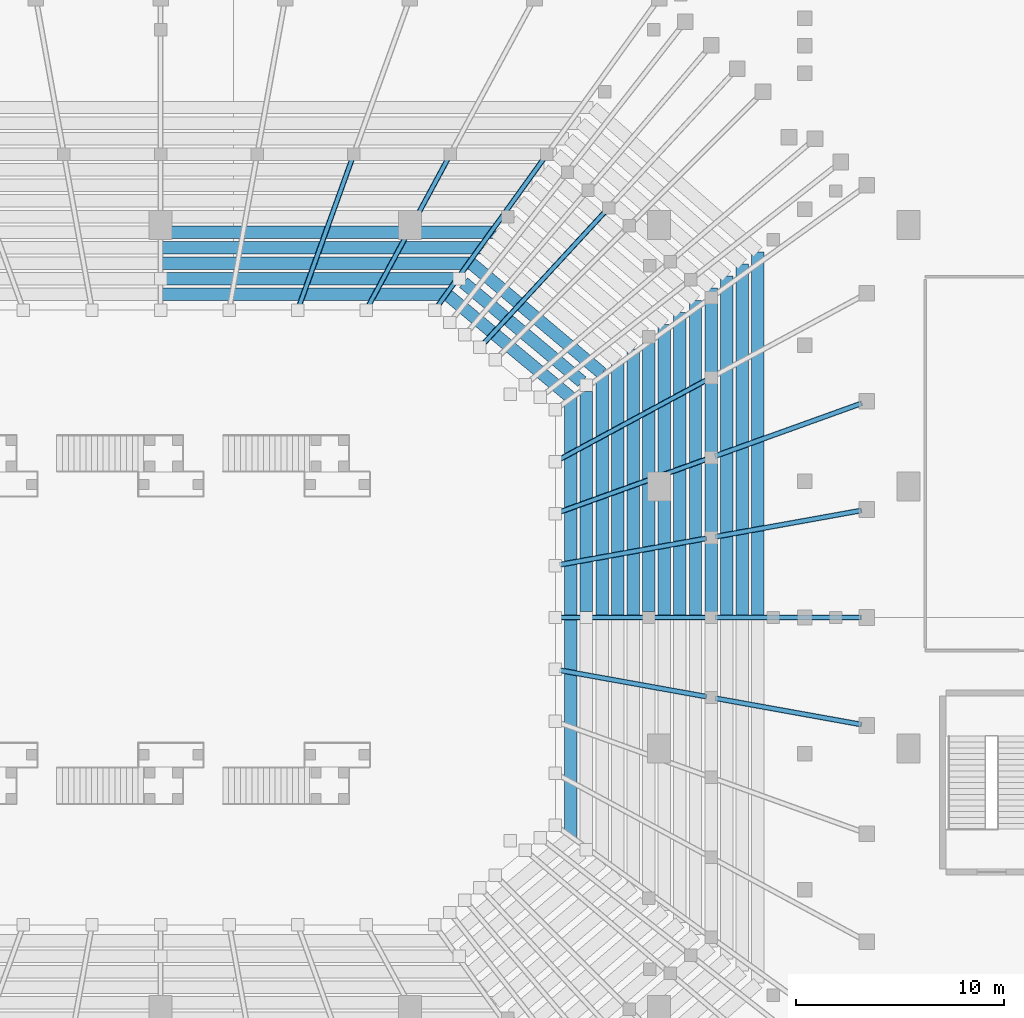
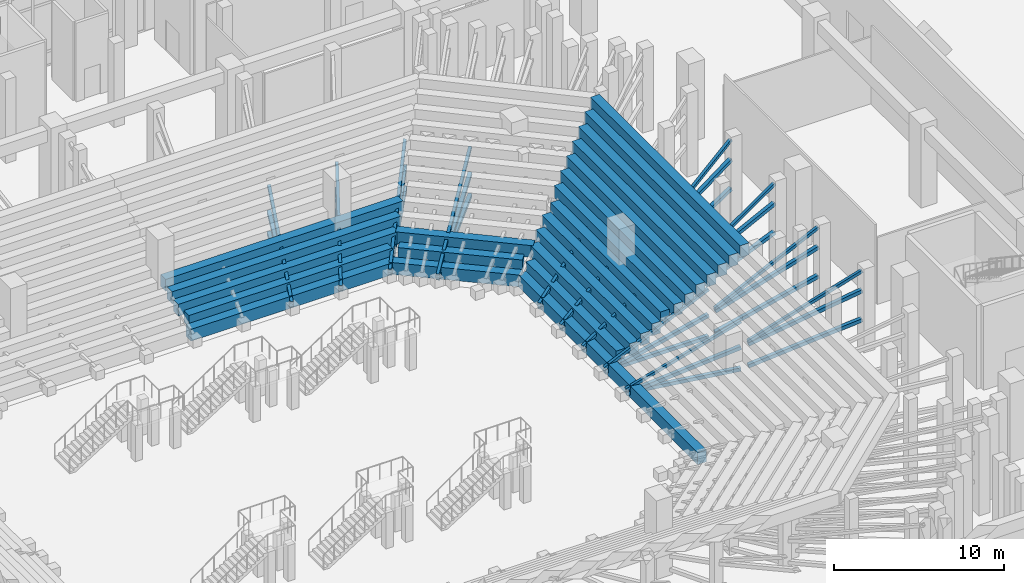
# One storey, part 49 of 143: 39 members, 22 beams.
"""IFC4 building model written with IfcOpenShell, lengths in metres."""

from ifc_helpers import new_model, si_unit, derived_unit, direction, frame, origin, origin_2d, place, context, subcontext, project, spatial, rectangle, hollow_rectangle, extrude, material, material_profile, profile_set, type_object, element, save


model = new_model("IFC4")

# Units and contexts
model_context = context("Model", 3, precision=1e-05, world=origin(), true_north=direction((0.0, 1.0)))
body_context = subcontext(model_context, "Body", "Model", "MODEL_VIEW")
ifc_project = project(units=[si_unit("LENGTHUNIT", "METRE"), si_unit("AREAUNIT", "SQUARE_METRE"), si_unit("VOLUMEUNIT", "CUBIC_METRE"), si_unit("PLANEANGLEUNIT", "RADIAN"), si_unit("MASSUNIT", "GRAM", prefix="KILO"), derived_unit("THERMALTRANSMITTANCEUNIT", [(si_unit("MASSUNIT", "GRAM", prefix="KILO"), 1), (si_unit("TIMEUNIT", "SECOND"), -3), (si_unit("THERMODYNAMICTEMPERATUREUNIT", "KELVIN"), -1)])], contexts=[model_context])

# Site, building, storey
site_placement = place(None, origin())
site = spatial("IfcSite", under=ifc_project, at=site_placement, CompositionType="ELEMENT")
building_placement = place(site_placement, origin())
building = spatial("IfcBuilding", under=site, at=building_placement, Name="Valcora Ridge Arena", CompositionType="ELEMENT")
storey_placement = place(building_placement, origin())
storey = spatial("IfcBuildingStorey", under=building, at=storey_placement, Name="L00", CompositionType="ELEMENT", Elevation=0.0)

# Beams
ifc_material_1 = material(Name="Concrete C40/50", Category="concrete")
ifc_material_profile_1 = material_profile(ifc_material_1, rectangle(XDim=0.60009765625, YDim=0.85009765625, at=origin_2d()), Name="RC 600x850")
ifc_profile_set_1 = profile_set([ifc_material_profile_1], Name="Concrete C40/50")
beam_type = type_object("IfcBeamType", Name="TY-BEAM-B-RC600-X", PredefinedType="BEAM", material=ifc_profile_set_1)
beam_1_placement = place(storey_placement, frame((77.75, 53.514892578125, 0.4150390625), z_axis=(0.0, 1.0, 0.0), x_axis=(-1.0, 0.0, 0.0)))
element("IfcBeam", 1, at=beam_1_placement, inside=storey, type_object=beam_type, Name="B-RC600-X BEM-R2-B-RC600-X-0004", PredefinedType="BEAM", context=body_context, shape_type="SweptSolid", body=[
    extrude(rectangle(XDim=0.60009765625, YDim=0.85009765625, at=origin_2d()), origin(), (0.0, 0.0, 1.0), 10.585205078125),
])
beam_2_placement = place(storey_placement, frame((77.75, 64.10009765625, 0.4150390625), z_axis=(0.0, 1.0, 0.0), x_axis=(-1.0, 0.0, 0.0)))
element("IfcBeam", 2, at=beam_2_placement, inside=storey, type_object=beam_type, Name="B-RC600-X BEM-R2-B-RC600-X-0005", PredefinedType="BEAM", context=body_context, shape_type="SweptSolid", body=[
    extrude(rectangle(XDim=0.60009765625, YDim=0.85009765625, at=origin_2d()), origin(), (0.0, 0.0, 1.0), 10.5849609375),
])
beam_3_placement = place(storey_placement, frame((77.75, 74.68505859375, 0.4150390625), z_axis=(-0.768605337433, 0.639723248968, 0.0), x_axis=(-0.639723248968, -0.768605337433, 0.0)))
element("IfcBeam", 3, at=beam_3_placement, inside=storey, type_object=beam_type, Name="B-RC600-X BEM-R2-B-RC600-X-0006", PredefinedType="BEAM", context=body_context, shape_type="SweptSolid", body=[
    extrude(rectangle(XDim=0.60009765625, YDim=0.85009765625, at=origin_2d()), origin(), (0.0, 0.0, 1.0), 7.760986328125),
])
beam_4_placement = place(storey_placement, frame((71.784912109375, 79.64990234375, 0.4150390625), z_axis=(-1.0, 0.0, 0.0), x_axis=(0.0, -1.0, 0.0)))
element("IfcBeam", 4, at=beam_4_placement, inside=storey, type_object=beam_type, Name="B-RC600-X BEM-R2-B-RC600-X-0007", PredefinedType="BEAM", context=body_context, shape_type="SweptSolid", body=[
    extrude(rectangle(XDim=0.60009765625, YDim=0.85009765625, at=origin_2d()), origin(), (0.0, 0.0, 1.0), 13.784912109375),
])
beam_5_placement = place(storey_placement, frame((78.5, 64.3798828125, 0.85498046875), z_axis=(0.0, 1.0, 0.0), x_axis=(-1.0, 0.0, 0.0)))
element("IfcBeam", 5, at=beam_5_placement, inside=storey, type_object=beam_type, Name="B-RC600-X BEM-R2-B-RC600-X-0017", PredefinedType="BEAM", context=body_context, shape_type="SweptSolid", body=[
    extrude(rectangle(XDim=0.60009765625, YDim=0.85009765625, at=origin_2d()), origin(), (0.0, 0.0, 1.0), 10.610107421875),
])
beam_6_placement = place(storey_placement, frame((78.285400390625, 75.44970703125, 0.85498046875), z_axis=(-0.76690051629, 0.6417659995, 0.0), x_axis=(-0.6417659995, -0.76690051629, 0.0)))
element("IfcBeam", 6, at=beam_6_placement, inside=storey, type_object=beam_type, Name="B-RC600-X BEM-R2-B-RC600-X-0018", PredefinedType="BEAM", context=body_context, shape_type="SweptSolid", body=[
    extrude(rectangle(XDim=0.60009765625, YDim=0.85009765625, at=origin_2d()), origin(), (0.0, 0.0, 1.0), 7.433349609375),
])
beam_7_placement = place(storey_placement, frame((72.090087890625, 80.39990234375, 0.85498046875), z_axis=(-1.0, 0.0, 0.0), x_axis=(0.0, -1.0, 0.0)))
element("IfcBeam", 7, at=beam_7_placement, inside=storey, type_object=beam_type, Name="B-RC600-X BEM-R2-B-RC600-X-0019", PredefinedType="BEAM", context=body_context, shape_type="SweptSolid", body=[
    extrude(rectangle(XDim=0.60009765625, YDim=0.85009765625, at=origin_2d()), origin(), (0.0, 0.0, 1.0), 13.81005859375),
])
beam_8_placement = place(storey_placement, frame((79.25, 64.10009765625, 1.294921875), z_axis=(0.0, 1.0, 0.0), x_axis=(-1.0, 0.0, 0.0)))
element("IfcBeam", 8, at=beam_8_placement, inside=storey, type_object=beam_type, Name="B-RC600-X BEM-R2-B-RC600-X-0029", PredefinedType="BEAM", context=body_context, shape_type="SweptSolid", body=[
    extrude(rectangle(XDim=0.60009765625, YDim=0.85009765625, at=origin_2d()), origin(), (0.0, 0.0, 1.0), 11.7548828125),
])
beam_9_placement = place(storey_placement, frame((79.25, 75.85498046875, 1.294921875), z_axis=(-0.765274358305, 0.643704246157, 0.0), x_axis=(-0.643704246157, -0.765274358305, 0.0)))
element("IfcBeam", 9, at=beam_9_placement, inside=storey, type_object=beam_type, Name="B-RC600-X BEM-R2-B-RC600-X-0030", PredefinedType="BEAM", context=body_context, shape_type="SweptSolid", body=[
    extrude(rectangle(XDim=0.60009765625, YDim=0.85009765625, at=origin_2d()), origin(), (0.0, 0.0, 1.0), 8.2255859375),
])
beam_10_placement = place(storey_placement, frame((72.955078125, 81.14990234375, 1.294921875), z_axis=(-1.0, 0.0, 0.0), x_axis=(0.0, -1.0, 0.0)))
element("IfcBeam", 10, at=beam_10_placement, inside=storey, type_object=beam_type, Name="B-RC600-X BEM-R2-B-RC600-X-0031", PredefinedType="BEAM", context=body_context, shape_type="SweptSolid", body=[
    extrude(rectangle(XDim=0.60009765625, YDim=0.85009765625, at=origin_2d()), origin(), (0.0, 0.0, 1.0), 14.955078125),
])
beam_11_placement = place(storey_placement, frame((80.0, 64.10009765625, 1.735107421875), z_axis=(0.0, 1.0, 0.0), x_axis=(-1.0, 0.0, 0.0)))
element("IfcBeam", 11, at=beam_11_placement, inside=storey, type_object=beam_type, Name="B-RC600-X BEM-R2-B-RC600-X-0041", PredefinedType="BEAM", context=body_context, shape_type="SweptSolid", body=[
    extrude(rectangle(XDim=0.60009765625, YDim=0.85009765625, at=origin_2d()), origin(), (0.0, 0.0, 1.0), 12.33984375),
])
beam_12_placement = place(storey_placement, frame((73.5400390625, 81.89990234375, 1.735107421875), z_axis=(-1.0, 0.0, 0.0), x_axis=(0.0, -1.0, 0.0)))
element("IfcBeam", 12, at=beam_12_placement, inside=storey, type_object=beam_type, Name="B-RC600-X BEM-R2-B-RC600-X-0043", PredefinedType="BEAM", context=body_context, shape_type="SweptSolid", body=[
    extrude(rectangle(XDim=0.60009765625, YDim=0.85009765625, at=origin_2d()), origin(), (0.0, 0.0, 1.0), 15.5400390625),
])
beam_13_placement = place(storey_placement, frame((80.75, 64.10009765625, 2.175048828125), z_axis=(0.0, 1.0, 0.0), x_axis=(-1.0, 0.0, 0.0)))
element("IfcBeam", 13, at=beam_13_placement, inside=storey, type_object=beam_type, Name="B-RC600-X BEM-R2-B-RC600-X-0053", PredefinedType="BEAM", context=body_context, shape_type="SweptSolid", body=[
    extrude(rectangle(XDim=0.60009765625, YDim=0.85009765625, at=origin_2d()), origin(), (0.0, 0.0, 1.0), 12.9248046875),
])
beam_14_placement = place(storey_placement, frame((74.125, 82.64990234375, 2.175048828125), z_axis=(-1.0, 0.0, 0.0), x_axis=(0.0, -1.0, 0.0)))
element("IfcBeam", 14, at=beam_14_placement, inside=storey, type_object=beam_type, Name="B-RC600-X BEM-R2-B-RC600-X-0055", PredefinedType="BEAM", context=body_context, shape_type="SweptSolid", body=[
    extrude(rectangle(XDim=0.60009765625, YDim=0.85009765625, at=origin_2d()), origin(), (0.0, 0.0, 1.0), 16.125),
])
beam_15_placement = place(storey_placement, frame((81.5, 64.3798828125, 2.614990234375), z_axis=(0.0, 1.0, 0.0), x_axis=(-1.0, 0.0, 0.0)))
element("IfcBeam", 15, at=beam_15_placement, inside=storey, type_object=beam_type, Name="B-RC600-X BEM-R2-B-RC600-X-0065", PredefinedType="BEAM", context=body_context, shape_type="SweptSolid", body=[
    extrude(rectangle(XDim=0.60009765625, YDim=0.85009765625, at=origin_2d()), origin(), (0.0, 0.0, 1.0), 12.9501953125),
])
beam_16_placement = place(storey_placement, frame((82.25, 64.10009765625, 3.054931640625), z_axis=(0.0, 1.0, 0.0), x_axis=(-1.0, 0.0, 0.0)))
element("IfcBeam", 16, at=beam_16_placement, inside=storey, type_object=beam_type, Name="B-RC600-X BEM-R2-B-RC600-X-0077", PredefinedType="BEAM", context=body_context, shape_type="SweptSolid", body=[
    extrude(rectangle(XDim=0.60009765625, YDim=0.85009765625, at=origin_2d()), origin(), (0.0, 0.0, 1.0), 14.094970703125),
])
beam_17_placement = place(storey_placement, frame((83.0, 64.10009765625, 3.4951171875), z_axis=(0.0, 1.0, 0.0), x_axis=(-1.0, 0.0, 0.0)))
element("IfcBeam", 17, at=beam_17_placement, inside=storey, type_object=beam_type, Name="B-RC600-X BEM-R2-B-RC600-X-0089", PredefinedType="BEAM", context=body_context, shape_type="SweptSolid", body=[
    extrude(rectangle(XDim=0.60009765625, YDim=0.85009765625, at=origin_2d()), origin(), (0.0, 0.0, 1.0), 14.679931640625),
])
beam_18_placement = place(storey_placement, frame((83.75, 64.10009765625, 3.93505859375), z_axis=(0.0, 1.0, 0.0), x_axis=(-1.0, 0.0, 0.0)))
element("IfcBeam", 18, at=beam_18_placement, inside=storey, type_object=beam_type, Name="B-RC600-X BEM-R2-B-RC600-X-0101", PredefinedType="BEAM", context=body_context, shape_type="SweptSolid", body=[
    extrude(rectangle(XDim=0.60009765625, YDim=0.85009765625, at=origin_2d()), origin(), (0.0, 0.0, 1.0), 15.264892578125),
])
beam_19_placement = place(storey_placement, frame((84.5, 64.10009765625, 4.375), z_axis=(0.0, 1.0, 0.0), x_axis=(-1.0, 0.0, 0.0)))
element("IfcBeam", 19, at=beam_19_placement, inside=storey, type_object=beam_type, Name="B-RC600-X BEM-R2-B-RC600-X-0113", PredefinedType="BEAM", context=body_context, shape_type="SweptSolid", body=[
    extrude(rectangle(XDim=0.60009765625, YDim=0.85009765625, at=origin_2d()), origin(), (0.0, 0.0, 1.0), 15.849853515625),
])
beam_20_placement = place(storey_placement, frame((85.25, 64.10009765625, 4.81494140625), z_axis=(0.0, 1.0, 0.0), x_axis=(-1.0, 0.0, 0.0)))
element("IfcBeam", 20, at=beam_20_placement, inside=storey, type_object=beam_type, Name="B-RC600-X BEM-R2-B-RC600-X-0125", PredefinedType="BEAM", context=body_context, shape_type="SweptSolid", body=[
    extrude(rectangle(XDim=0.60009765625, YDim=0.85009765625, at=origin_2d()), origin(), (0.0, 0.0, 1.0), 16.434814453125),
])
beam_21_placement = place(storey_placement, frame((86.0, 64.10009765625, 5.2548828125), z_axis=(0.0, 1.0, 0.0), x_axis=(-1.0, 0.0, 0.0)))
element("IfcBeam", 21, at=beam_21_placement, inside=storey, type_object=beam_type, Name="B-RC600-X BEM-R2-B-RC600-X-0137", PredefinedType="BEAM", context=body_context, shape_type="SweptSolid", body=[
    extrude(rectangle(XDim=0.60009765625, YDim=0.85009765625, at=origin_2d()), origin(), (0.0, 0.0, 1.0), 17.02001953125),
])
beam_22_placement = place(storey_placement, frame((86.75, 64.10009765625, 5.695068359375), z_axis=(0.0, 1.0, 0.0), x_axis=(-1.0, 0.0, 0.0)))
element("IfcBeam", 22, at=beam_22_placement, inside=storey, type_object=beam_type, Name="B-RC600-X BEM-R2-B-RC600-X-0149", PredefinedType="BEAM", context=body_context, shape_type="SweptSolid", body=[
    extrude(rectangle(XDim=0.60009765625, YDim=0.85009765625, at=origin_2d()), origin(), (0.0, 0.0, 1.0), 17.60498046875),
])

# Members
ifc_material_2 = material(Name="Steel ASTM A500 Grade C", Category="steel")
ifc_material_profile_2 = material_profile(ifc_material_2, hollow_rectangle(XDim=0.25, YDim=0.25, WallThickness=0.012451171875, at=origin_2d()), Name="HSS250X250X12")
ifc_profile_set_2 = profile_set([ifc_material_profile_2], Name="Steel ASTM A500 Grade C")
member_type_1 = type_object("IfcMemberType", Name="TY-MEMBER-RKRC-251", PredefinedType="CHORD", material=ifc_profile_set_2)
member_1_placement = place(storey_placement, frame((77.230224609375, 61.55859375, 0.3037109375), z_axis=(0.959215943841, -0.172654877871, 0.223819271352), x_axis=(0.177149030926, 0.984184038096, 0.0)))
element("IfcMember", 23, at=member_1_placement, inside=storey, type_object=member_type_1, Name="RKRC-251 MBR-RK-RKRC-251-0019", PredefinedType="CHORD", context=body_context, shape_type="SweptSolid", body=[
    extrude(hollow_rectangle(XDim=0.25, YDim=0.25, WallThickness=0.012451171875, at=origin_2d()), origin(), (0.0, 0.0, 1.0), 7.3388671875),
])
member_2_placement = place(storey_placement, frame((77.233642578125, 64.10009765625, 0.304443359375), z_axis=(0.973836720987, 0.0, 0.227248852269), x_axis=(0.0, 1.0, 0.0)))
element("IfcMember", 24, at=member_2_placement, inside=storey, type_object=member_type_1, Name="RKRC-251 MBR-RK-RKRC-251-0020", PredefinedType="CHORD", context=body_context, shape_type="SweptSolid", body=[
    extrude(hollow_rectangle(XDim=0.25, YDim=0.25, WallThickness=0.012451171875, at=origin_2d()), origin(), (0.0, 0.0, 1.0), 7.2216796875),
])
member_3_placement = place(storey_placement, frame((77.230224609375, 66.641357421875, 0.3037109375), z_axis=(0.959210433927, 0.172687152754, 0.223817985693), x_axis=(-0.17718209224, 0.984178086623, 0.0)))
element("IfcMember", 25, at=member_3_placement, inside=storey, type_object=member_type_1, Name="RKRC-251 MBR-RK-RKRC-251-0021", PredefinedType="CHORD", context=body_context, shape_type="SweptSolid", body=[
    extrude(hollow_rectangle(XDim=0.25, YDim=0.25, WallThickness=0.012451171875, at=origin_2d()), origin(), (0.0, 0.0, 1.0), 7.3388671875),
])
member_4_placement = place(storey_placement, frame((77.220703125, 69.179443359375, 0.301513671875), z_axis=(0.918995292529, 0.330859919754, 0.214427996797), x_axis=(-0.338739058473, 0.940880359166, 0.0)))
element("IfcMember", 26, at=member_4_placement, inside=storey, type_object=member_type_1, Name="RKRC-251 MBR-RK-RKRC-251-0022", PredefinedType="CHORD", context=body_context, shape_type="SweptSolid", body=[
    extrude(hollow_rectangle(XDim=0.25, YDim=0.25, WallThickness=0.012451171875, at=origin_2d()), origin(), (0.0, 0.0, 1.0), 7.6806640625),
])
member_5_placement = place(storey_placement, frame((77.206787109375, 71.711669921875, 0.29833984375), z_axis=(0.861930883615, 0.465441489347, 0.201095429747), x_axis=(-0.475147975918, 0.879905904618, 0.0)))
element("IfcMember", 27, at=member_5_placement, inside=storey, type_object=member_type_1, Name="RKRC-251 MBR-RK-RKRC-251-0023", PredefinedType="CHORD", context=body_context, shape_type="SweptSolid", body=[
    extrude(hollow_rectangle(XDim=0.25, YDim=0.25, WallThickness=0.012451171875, at=origin_2d()), origin(), (0.0, 0.0, 1.0), 8.2216796875),
])
member_6_placement = place(storey_placement, frame((73.534912109375, 77.273193359375, 0.295166015625), z_axis=(0.665623478086, 0.722149130028, 0.18827113273), x_axis=(-0.735298404428, 0.677743503433, 0.0)))
element("IfcMember", 28, at=member_6_placement, inside=storey, type_object=member_type_1, Name="RKRC-251 MBR-RK-RKRC-251-0028", PredefinedType="CHORD", context=body_context, shape_type="SweptSolid", body=[
    extrude(hollow_rectangle(XDim=0.25, YDim=0.25, WallThickness=0.012451171875, at=origin_2d()), origin(), (0.0, 0.0, 1.0), 8.8154296875),
])
member_7_placement = place(storey_placement, frame((71.337890625, 79.09130859375, 0.294677734375), z_axis=(0.574095048612, 0.797370949409, 0.18604957457), x_axis=(-0.811540149599, 0.584296658889, 0.0)))
element("IfcMember", 29, at=member_7_placement, inside=storey, type_object=member_type_1, Name="RKRC-251 MBR-RK-RKRC-251-0031", PredefinedType="CHORD", context=body_context, shape_type="SweptSolid", body=[
    extrude(hollow_rectangle(XDim=0.25, YDim=0.25, WallThickness=0.012451171875, at=origin_2d()), origin(), (0.0, 0.0, 1.0), 8.92578125),
])
member_8_placement = place(storey_placement, frame((68.01171875, 79.10693359375, 0.29833984375), z_axis=(0.465453402644, 0.861923249442, 0.201100576924), x_axis=(-0.879899060394, 0.47516065022, 0.0)))
element("IfcMember", 30, at=member_8_placement, inside=storey, type_object=member_type_1, Name="RKRC-251 MBR-RK-RKRC-251-0032", PredefinedType="CHORD", context=body_context, shape_type="SweptSolid", body=[
    extrude(hollow_rectangle(XDim=0.25, YDim=0.25, WallThickness=0.012451171875, at=origin_2d()), origin(), (0.0, 0.0, 1.0), 8.221435546875),
])
member_9_placement = place(storey_placement, frame((64.679443359375, 79.12060546875, 0.301513671875), z_axis=(0.330850255217, 0.919000233363, 0.214421733278), x_axis=(-0.940884093102, 0.338728686926, 0.0)))
element("IfcMember", 31, at=member_9_placement, inside=storey, type_object=member_type_1, Name="RKRC-251 MBR-RK-RKRC-251-0033", PredefinedType="CHORD", context=body_context, shape_type="SweptSolid", body=[
    extrude(hollow_rectangle(XDim=0.25, YDim=0.25, WallThickness=0.012451171875, at=origin_2d()), origin(), (0.0, 0.0, 1.0), 7.680908203125),
])
ifc_material_profile_3 = material_profile(ifc_material_2, hollow_rectangle(XDim=0.25, YDim=0.25, WallThickness=0.012451171875, at=origin_2d()), Name="HSS250X250X12")
ifc_profile_set_3 = profile_set([ifc_material_profile_3], Name="Steel ASTM A500 Grade C")
member_type_2 = type_object("IfcMemberType", Name="TY-MEMBER-RKRC-252", PredefinedType="CHORD", material=ifc_profile_set_3)
member_10_placement = place(storey_placement, frame((84.72607421875, 60.209228515625, 2.0693359375), z_axis=(0.942209005154, -0.169586463924, 0.288933594204), x_axis=(0.177141709985, 0.984185355806, 0.0)))
element("IfcMember", 32, at=member_10_placement, inside=storey, type_object=member_type_2, Name="RKRC-252 MBR-RK-RKRC-252-0019", PredefinedType="CHORD", context=body_context, shape_type="SweptSolid", body=[
    extrude(hollow_rectangle(XDim=0.25, YDim=0.25, WallThickness=0.012451171875, at=origin_2d()), origin(), (0.0, 0.0, 1.0), 7.43994140625),
])
member_11_placement = place(storey_placement, frame((84.7294921875, 64.10009765625, 2.0703125), z_axis=(0.95604885156, 0.0, 0.293207423901), x_axis=(0.0, 1.0, 0.0)))
element("IfcMember", 33, at=member_11_placement, inside=storey, type_object=member_type_2, Name="RKRC-252 MBR-RK-RKRC-252-0020", PredefinedType="CHORD", context=body_context, shape_type="SweptSolid", body=[
    extrude(hollow_rectangle(XDim=0.25, YDim=0.25, WallThickness=0.012451171875, at=origin_2d()), origin(), (0.0, 0.0, 1.0), 7.324951171875),
])
member_12_placement = place(storey_placement, frame((84.72607421875, 67.99072265625, 2.0693359375), z_axis=(0.942209005154, 0.169586463924, 0.288933594204), x_axis=(-0.177141709985, 0.984185355806, 0.0)))
element("IfcMember", 34, at=member_12_placement, inside=storey, type_object=member_type_2, Name="RKRC-252 MBR-RK-RKRC-252-0021", PredefinedType="CHORD", context=body_context, shape_type="SweptSolid", body=[
    extrude(hollow_rectangle(XDim=0.25, YDim=0.25, WallThickness=0.012451171875, at=origin_2d()), origin(), (0.0, 0.0, 1.0), 7.43994140625),
])
member_13_placement = place(storey_placement, frame((84.717041015625, 71.878173828125, 2.06640625), z_axis=(0.904000130759, 0.325445070343, 0.277253078931), x_axis=(-0.338724096661, 0.940885745636, 0.0)))
element("IfcMember", 35, at=member_13_placement, inside=storey, type_object=member_type_2, Name="RKRC-252 MBR-RK-RKRC-252-0022", PredefinedType="CHORD", context=body_context, shape_type="SweptSolid", body=[
    extrude(hollow_rectangle(XDim=0.25, YDim=0.25, WallThickness=0.012451171875, at=origin_2d()), origin(), (0.0, 0.0, 1.0), 7.7763671875),
])
ifc_material_profile_4 = material_profile(ifc_material_2, hollow_rectangle(XDim=0.25, YDim=0.25, WallThickness=0.012451171875, at=origin_2d()), Name="HSS250X250X12")
ifc_profile_set_4 = profile_set([ifc_material_profile_4], Name="Steel ASTM A500 Grade C")
member_type_3 = type_object("IfcMemberType", Name="TY-MEMBER-RKRC-254", PredefinedType="CHORD", material=ifc_profile_set_4)
member_14_placement = place(storey_placement, frame((77.236083984375, 61.5576171875, 0.39990234375), z_axis=(0.984180224112, -0.177170218903, 0.0), x_axis=(0.177170218903, 0.984180224112, 0.0)))
element("IfcMember", 36, at=member_14_placement, inside=storey, type_object=member_type_3, Name="RKRC-254 MBR-RK-RKRC-254-0019", PredefinedType="CHORD", context=body_context, shape_type="SweptSolid", body=[
    extrude(hollow_rectangle(XDim=0.25, YDim=0.25, WallThickness=0.012451171875, at=origin_2d()), origin(), (0.0, 0.0, 1.0), 7.140869140625),
])
member_15_placement = place(storey_placement, frame((77.239990234375, 64.10009765625, 0.39990234375), z_axis=(1.0, 0.0, 0.0), x_axis=(0.0, 1.0, 0.0)))
element("IfcMember", 37, at=member_15_placement, inside=storey, type_object=member_type_3, Name="RKRC-254 MBR-RK-RKRC-254-0020", PredefinedType="CHORD", context=body_context, shape_type="SweptSolid", body=[
    extrude(hollow_rectangle(XDim=0.25, YDim=0.25, WallThickness=0.012451171875, at=origin_2d()), origin(), (0.0, 0.0, 1.0), 7.02001953125),
])
member_16_placement = place(storey_placement, frame((77.236083984375, 66.642578125, 0.39990234375), z_axis=(0.984186185134, 0.177137102243, 0.0), x_axis=(-0.177137102243, 0.984186185134, 0.0)))
element("IfcMember", 38, at=member_16_placement, inside=storey, type_object=member_type_3, Name="RKRC-254 MBR-RK-RKRC-254-0021", PredefinedType="CHORD", context=body_context, shape_type="SweptSolid", body=[
    extrude(hollow_rectangle(XDim=0.25, YDim=0.25, WallThickness=0.012451171875, at=origin_2d()), origin(), (0.0, 0.0, 1.0), 7.140869140625),
])
member_17_placement = place(storey_placement, frame((77.225830078125, 69.181396484375, 0.39990234375), z_axis=(0.940889489153, 0.338713697983, 0.0), x_axis=(-0.338713697983, 0.940889489153, 0.0)))
element("IfcMember", 39, at=member_17_placement, inside=storey, type_object=member_type_3, Name="RKRC-254 MBR-RK-RKRC-254-0022", PredefinedType="CHORD", context=body_context, shape_type="SweptSolid", body=[
    extrude(hollow_rectangle(XDim=0.25, YDim=0.25, WallThickness=0.012451171875, at=origin_2d()), origin(), (0.0, 0.0, 1.0), 7.4912109375),
])
member_18_placement = place(storey_placement, frame((77.211181640625, 71.714111328125, 0.39990234375), z_axis=(0.879913011468, 0.475134814816, 0.0), x_axis=(-0.475134814816, 0.879913011468, 0.0)))
element("IfcMember", 40, at=member_18_placement, inside=storey, type_object=member_type_3, Name="RKRC-254 MBR-RK-RKRC-254-0023", PredefinedType="CHORD", context=body_context, shape_type="SweptSolid", body=[
    extrude(hollow_rectangle(XDim=0.25, YDim=0.25, WallThickness=0.012451171875, at=origin_2d()), origin(), (0.0, 0.0, 1.0), 8.04345703125),
])
member_19_placement = place(storey_placement, frame((73.53759765625, 77.276611328125, 0.39990234375), z_axis=(0.677787555529, 0.735257798035, 0.0), x_axis=(-0.735257798035, 0.677787555529, 0.0)))
element("IfcMember", 41, at=member_19_placement, inside=storey, type_object=member_type_3, Name="RKRC-254 MBR-RK-RKRC-254-0028", PredefinedType="CHORD", context=body_context, shape_type="SweptSolid", body=[
    extrude(hollow_rectangle(XDim=0.25, YDim=0.25, WallThickness=0.012451171875, at=origin_2d()), origin(), (0.0, 0.0, 1.0), 8.649169921875),
])
member_20_placement = place(storey_placement, frame((71.340087890625, 79.0947265625, 0.39990234375), z_axis=(0.584317938635, 0.811524828079, 0.0), x_axis=(-0.811524828079, 0.584317938635, 0.0)))
element("IfcMember", 42, at=member_20_placement, inside=storey, type_object=member_type_3, Name="RKRC-254 MBR-RK-RKRC-254-0031", PredefinedType="CHORD", context=body_context, shape_type="SweptSolid", body=[
    extrude(hollow_rectangle(XDim=0.25, YDim=0.25, WallThickness=0.012451171875, at=origin_2d()), origin(), (0.0, 0.0, 1.0), 8.76171875),
])
member_21_placement = place(storey_placement, frame((68.013916015625, 79.111083984375, 0.39990234375), z_axis=(0.475158314478, 0.879900321731, 0.0), x_axis=(-0.879900321731, 0.475158314478, 0.0)))
element("IfcMember", 43, at=member_21_placement, inside=storey, type_object=member_type_3, Name="RKRC-254 MBR-RK-RKRC-254-0032", PredefinedType="CHORD", context=body_context, shape_type="SweptSolid", body=[
    extrude(hollow_rectangle(XDim=0.25, YDim=0.25, WallThickness=0.012451171875, at=origin_2d()), origin(), (0.0, 0.0, 1.0), 8.043701171875),
])
member_22_placement = place(storey_placement, frame((64.681396484375, 79.125732421875, 0.39990234375), z_axis=(0.338703311925, 0.940893227997, 0.0), x_axis=(-0.940893227997, 0.338703311925, 0.0)))
element("IfcMember", 44, at=member_22_placement, inside=storey, type_object=member_type_3, Name="RKRC-254 MBR-RK-RKRC-254-0033", PredefinedType="CHORD", context=body_context, shape_type="SweptSolid", body=[
    extrude(hollow_rectangle(XDim=0.25, YDim=0.25, WallThickness=0.012451171875, at=origin_2d()), origin(), (0.0, 0.0, 1.0), 7.491455078125),
])
ifc_material_profile_5 = material_profile(ifc_material_2, hollow_rectangle(XDim=0.25, YDim=0.25, WallThickness=0.012451171875, at=origin_2d()), Name="HSS250X250X12")
ifc_profile_set_5 = profile_set([ifc_material_profile_5], Name="Steel ASTM A500 Grade C")
member_type_4 = type_object("IfcMemberType", Name="TY-MEMBER-RKRC-255", PredefinedType="CHORD", material=ifc_profile_set_5)
member_23_placement = place(storey_placement, frame((84.730224609375, 60.20849609375, 0.503662109375), z_axis=(0.959217137557, -0.172663767621, 0.223807297395), x_axis=(0.177157652266, 0.984182486251, 0.0)))
element("IfcMember", 45, at=member_23_placement, inside=storey, type_object=member_type_4, Name="RKRC-255 MBR-RK-RKRC-255-0019", PredefinedType="CHORD", context=body_context, shape_type="SweptSolid", body=[
    extrude(hollow_rectangle(XDim=0.25, YDim=0.25, WallThickness=0.012451171875, at=origin_2d()), origin(), (0.0, 0.0, 1.0), 7.298828125),
])
member_24_placement = place(storey_placement, frame((84.733642578125, 64.10009765625, 0.50439453125), z_axis=(0.973834188084, 0.0, 0.227259706324), x_axis=(0.0, 1.0, 0.0)))
element("IfcMember", 46, at=member_24_placement, inside=storey, type_object=member_type_4, Name="RKRC-255 MBR-RK-RKRC-255-0020", PredefinedType="CHORD", context=body_context, shape_type="SweptSolid", body=[
    extrude(hollow_rectangle(XDim=0.25, YDim=0.25, WallThickness=0.012451171875, at=origin_2d()), origin(), (0.0, 0.0, 1.0), 7.181640625),
])
member_25_placement = place(storey_placement, frame((84.730224609375, 67.991455078125, 0.503662109375), z_axis=(0.959217137557, 0.172663767621, 0.223807297395), x_axis=(-0.177157652266, 0.984182486251, 0.0)))
element("IfcMember", 47, at=member_25_placement, inside=storey, type_object=member_type_4, Name="RKRC-255 MBR-RK-RKRC-255-0021", PredefinedType="CHORD", context=body_context, shape_type="SweptSolid", body=[
    extrude(hollow_rectangle(XDim=0.25, YDim=0.25, WallThickness=0.012451171875, at=origin_2d()), origin(), (0.0, 0.0, 1.0), 7.298828125),
])
member_26_placement = place(storey_placement, frame((84.720703125, 71.87939453125, 0.50146484375), z_axis=(0.91899526261, 0.330860021706, 0.214427967713), x_axis=(-0.338739160639, 0.940880322384, 0.0)))
element("IfcMember", 48, at=member_26_placement, inside=storey, type_object=member_type_4, Name="RKRC-255 MBR-RK-RKRC-255-0022", PredefinedType="CHORD", context=body_context, shape_type="SweptSolid", body=[
    extrude(hollow_rectangle(XDim=0.25, YDim=0.25, WallThickness=0.012451171875, at=origin_2d()), origin(), (0.0, 0.0, 1.0), 7.640869140625),
])
ifc_material_profile_6 = material_profile(ifc_material_2, hollow_rectangle(XDim=0.199951171875, YDim=0.199951171875, WallThickness=0.012451171875, at=origin_2d()), Name="HSS200X200X12")
ifc_profile_set_6 = profile_set([ifc_material_profile_6], Name="Steel ASTM A500 Grade C")
member_type_5 = type_object("IfcMemberType", Name="TY-MEMBER-RKRD-202", PredefinedType="BRACE", material=ifc_profile_set_6)
member_27_placement = place(storey_placement, frame((84.713623046875, 60.211669921875, 2.25244140625), z_axis=(0.889873971201, -0.160198308235, 0.42715432506), x_axis=(0.177175487825, 0.984179275597, 0.0)))
element("IfcMember", 49, at=member_27_placement, inside=storey, type_object=member_type_5, Name="RKRD-202 Raker Diagonal Brace", PredefinedType="BRACE", context=body_context, shape_type="SweptSolid", body=[
    extrude(hollow_rectangle(XDim=0.199951171875, YDim=0.199951171875, WallThickness=0.012451171875, at=origin_2d()), origin(), (0.0, 0.0, 1.0), 7.907958984375),
])
member_28_placement = place(storey_placement, frame((84.71630859375, 64.10009765625, 2.25390625), z_axis=(0.901523057468, 0.0, 0.432731067585), x_axis=(0.0, 1.0, 0.0)))
element("IfcMember", 50, at=member_28_placement, inside=storey, type_object=member_type_5, Name="RKRD-202 Raker Diagonal Brace", PredefinedType="BRACE", context=body_context, shape_type="SweptSolid", body=[
    extrude(hollow_rectangle(XDim=0.199951171875, YDim=0.199951171875, WallThickness=0.012451171875, at=origin_2d()), origin(), (0.0, 0.0, 1.0), 7.79931640625),
])
member_29_placement = place(storey_placement, frame((84.713623046875, 67.98828125, 2.25244140625), z_axis=(0.889873971201, 0.160198308235, 0.42715432506), x_axis=(-0.177175487825, 0.984179275597, 0.0)))
element("IfcMember", 51, at=member_29_placement, inside=storey, type_object=member_type_5, Name="RKRD-202 Raker Diagonal Brace", PredefinedType="BRACE", context=body_context, shape_type="SweptSolid", body=[
    extrude(hollow_rectangle(XDim=0.199951171875, YDim=0.199951171875, WallThickness=0.012451171875, at=origin_2d()), origin(), (0.0, 0.0, 1.0), 7.907958984375),
])
member_30_placement = place(storey_placement, frame((84.705810546875, 71.8740234375, 2.248779296875), z_axis=(0.857492925697, 0.308702201603, 0.411593043071), x_axis=(-0.338724080643, 0.940885751403, 0.0)))
element("IfcMember", 52, at=member_30_placement, inside=storey, type_object=member_type_5, Name="RKRD-202 Raker Diagonal Brace", PredefinedType="BRACE", context=body_context, shape_type="SweptSolid", body=[
    extrude(hollow_rectangle(XDim=0.199951171875, YDim=0.199951171875, WallThickness=0.012451171875, at=origin_2d()), origin(), (0.0, 0.0, 1.0), 8.2265625),
])
ifc_material_profile_7 = material_profile(ifc_material_2, hollow_rectangle(XDim=0.199951171875, YDim=0.199951171875, WallThickness=0.012451171875, at=origin_2d()), Name="HSS200X200X12")
ifc_profile_set_7 = profile_set([ifc_material_profile_7], Name="Steel ASTM A500 Grade C")
member_type_6 = type_object("IfcMemberType", Name="TY-MEMBER-RKRD-204", PredefinedType="BRACE", material=ifc_profile_set_7)
member_31_placement = place(storey_placement, frame((77.2158203125, 61.561279296875, 0.597900390625), z_axis=(0.898779919237, -0.161800253491, 0.407449794142), x_axis=(0.177174071341, 0.984179530596, 0.0)))
element("IfcMember", 53, at=member_31_placement, inside=storey, type_object=member_type_6, Name="RKRD-204 Raker Diagonal Brace", PredefinedType="BRACE", context=body_context, shape_type="SweptSolid", body=[
    extrude(hollow_rectangle(XDim=0.199951171875, YDim=0.199951171875, WallThickness=0.012451171875, at=origin_2d()), origin(), (0.0, 0.0, 1.0), 7.864501953125),
])
member_32_placement = place(storey_placement, frame((77.218505859375, 64.10009765625, 0.59912109375), z_axis=(0.910792949314, 0.0, 0.412863419886), x_axis=(0.0, 1.0, 0.0)))
element("IfcMember", 54, at=member_32_placement, inside=storey, type_object=member_type_6, Name="RKRD-204 Raker Diagonal Brace", PredefinedType="BRACE", context=body_context, shape_type="SweptSolid", body=[
    extrude(hollow_rectangle(XDim=0.199951171875, YDim=0.199951171875, WallThickness=0.012451171875, at=origin_2d()), origin(), (0.0, 0.0, 1.0), 7.7548828125),
])
member_33_placement = place(storey_placement, frame((77.2158203125, 66.638916015625, 0.597900390625), z_axis=(0.898784433314, 0.161770022175, 0.407451840538), x_axis=(-0.177141144631, 0.984185457563, 0.0)))
element("IfcMember", 55, at=member_33_placement, inside=storey, type_object=member_type_6, Name="RKRD-204 Raker Diagonal Brace", PredefinedType="BRACE", context=body_context, shape_type="SweptSolid", body=[
    extrude(hollow_rectangle(XDim=0.199951171875, YDim=0.199951171875, WallThickness=0.012451171875, at=origin_2d()), origin(), (0.0, 0.0, 1.0), 7.8642578125),
])
member_34_placement = place(storey_placement, frame((77.207763671875, 69.1748046875, 0.59423828125), z_axis=(0.865450734927, 0.311547948758, 0.3923428361), x_axis=(-0.338705690146, 0.94089237188, 0.0)))
element("IfcMember", 56, at=member_34_placement, inside=storey, type_object=member_type_6, Name="RKRD-204 Raker Diagonal Brace", PredefinedType="BRACE", context=body_context, shape_type="SweptSolid", body=[
    extrude(hollow_rectangle(XDim=0.199951171875, YDim=0.199951171875, WallThickness=0.012451171875, at=origin_2d()), origin(), (0.0, 0.0, 1.0), 8.185791015625),
])
member_35_placement = place(storey_placement, frame((77.196044921875, 71.705810546875, 0.5888671875), z_axis=(0.817282465938, 0.4413448832, 0.370491653), x_axis=(-0.475159210405, 0.879899837917, 0.0)))
element("IfcMember", 57, at=member_35_placement, inside=storey, type_object=member_type_6, Name="RKRD-204 Raker Diagonal Brace", PredefinedType="BRACE", context=body_context, shape_type="SweptSolid", body=[
    extrude(hollow_rectangle(XDim=0.199951171875, YDim=0.199951171875, WallThickness=0.012451171875, at=origin_2d()), origin(), (0.0, 0.0, 1.0), 8.697021484375),
])
member_36_placement = place(storey_placement, frame((73.52734375, 77.265380859375, 0.583740234375), z_axis=(0.635158631429, 0.68903745956, 0.348999845623), x_axis=(-0.735269137731, 0.677775254122, 0.0)))
element("IfcMember", 58, at=member_36_placement, inside=storey, type_object=member_type_6, Name="RKRD-204 Raker Diagonal Brace", PredefinedType="BRACE", context=body_context, shape_type="SweptSolid", body=[
    extrude(hollow_rectangle(XDim=0.199951171875, YDim=0.199951171875, WallThickness=0.012451171875, at=origin_2d()), origin(), (0.0, 0.0, 1.0), 9.261962890625),
])
member_37_placement = place(storey_placement, frame((71.33154296875, 79.082763671875, 0.5830078125), z_axis=(0.548383504773, 0.761627829474, 0.345251475107), x_axis=(-0.811528547418, 0.584312773029, 0.0)))
element("IfcMember", 59, at=member_37_placement, inside=storey, type_object=member_type_6, Name="RKRD-204 Raker Diagonal Brace", PredefinedType="BRACE", context=body_context, shape_type="SweptSolid", body=[
    extrude(hollow_rectangle(XDim=0.199951171875, YDim=0.199951171875, WallThickness=0.012451171875, at=origin_2d()), origin(), (0.0, 0.0, 1.0), 9.367431640625),
])
member_38_placement = place(storey_placement, frame((68.005859375, 79.09619140625, 0.5888671875), z_axis=(0.441332404454, 0.817283270204, 0.370504743591), x_axis=(-0.87990565038, 0.475148446729, 0.0)))
element("IfcMember", 60, at=member_38_placement, inside=storey, type_object=member_type_6, Name="RKRD-204 Raker Diagonal Brace", PredefinedType="BRACE", context=body_context, shape_type="SweptSolid", body=[
    extrude(hollow_rectangle(XDim=0.199951171875, YDim=0.199951171875, WallThickness=0.012451171875, at=origin_2d()), origin(), (0.0, 0.0, 1.0), 8.69677734375),
])
member_39_placement = place(storey_placement, frame((64.6748046875, 79.107666015625, 0.59423828125), z_axis=(0.311539907337, 0.865458220468, 0.392332709268), x_axis=(-0.940896091492, 0.338695357239, 0.0)))
element("IfcMember", 61, at=member_39_placement, inside=storey, type_object=member_type_6, Name="RKRD-204 Raker Diagonal Brace", PredefinedType="BRACE", context=body_context, shape_type="SweptSolid", body=[
    extrude(hollow_rectangle(XDim=0.199951171875, YDim=0.199951171875, WallThickness=0.012451171875, at=origin_2d()), origin(), (0.0, 0.0, 1.0), 8.18603515625),
])

save(model, "model.ifc")
